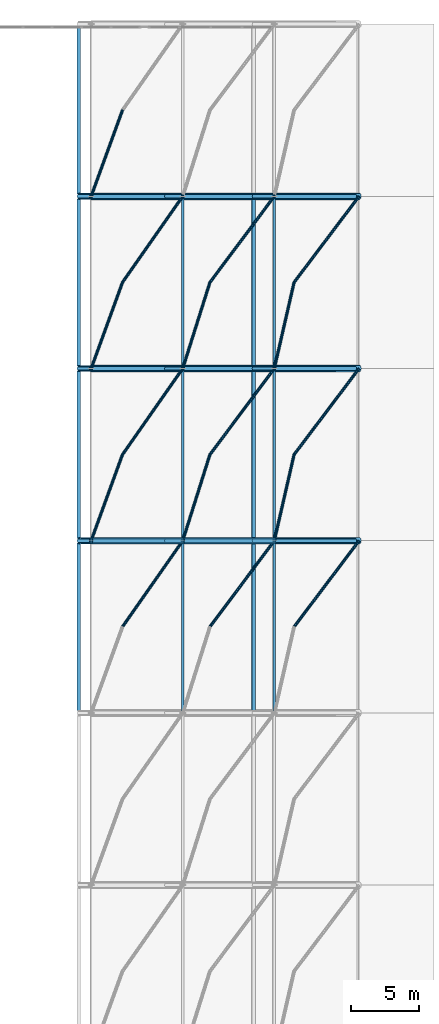
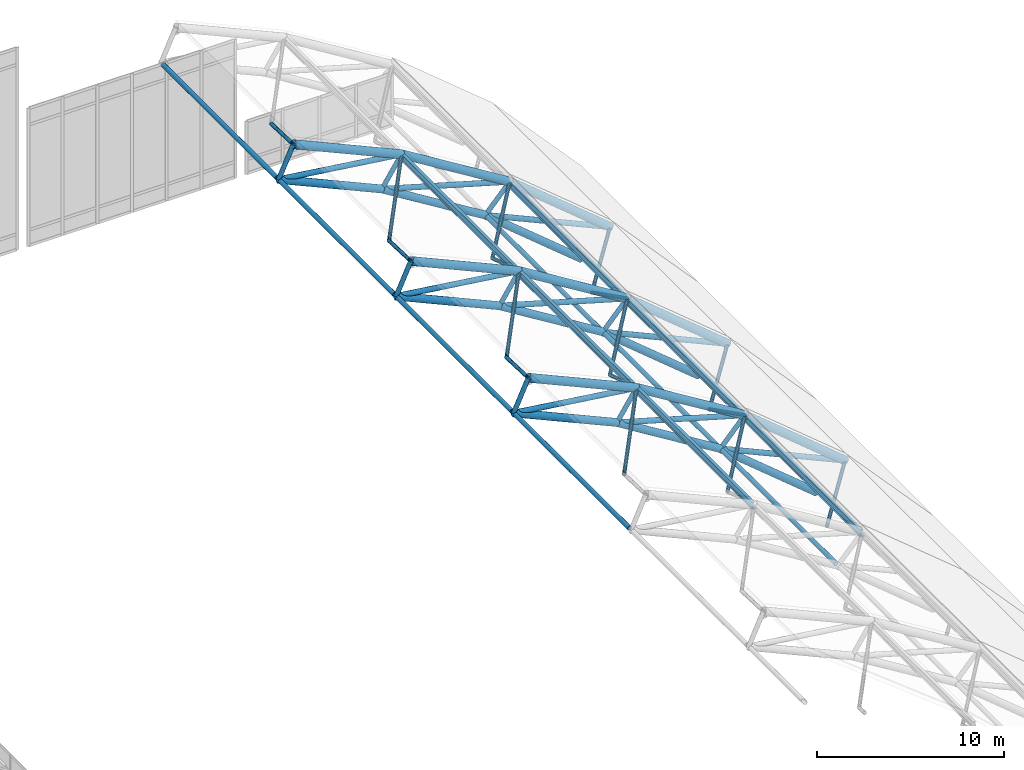
# One storey, part 20 of 42: 65 members.
"""IFC4 building model written with IfcOpenShell, lengths in metres."""

from ifc_helpers import new_model, si_unit, derived_unit, direction, frame, origin, origin_2d, place, context, subcontext, project, spatial, hollow_circle, i_section, extrude, material, material_profile, profile_set, type_object, element, save


model = new_model("IFC4")

# Units and contexts
model_context = context("Model", 3, precision=1e-05, world=origin(), true_north=direction((0.0, 1.0)))
body_context = subcontext(model_context, "Body", "Model", "MODEL_VIEW")
ifc_project = project(units=[si_unit("LENGTHUNIT", "METRE"), si_unit("AREAUNIT", "SQUARE_METRE"), si_unit("VOLUMEUNIT", "CUBIC_METRE"), si_unit("PLANEANGLEUNIT", "RADIAN"), si_unit("MASSUNIT", "GRAM", prefix="KILO"), derived_unit("THERMALTRANSMITTANCEUNIT", [(si_unit("MASSUNIT", "GRAM", prefix="KILO"), 1), (si_unit("TIMEUNIT", "SECOND"), -3), (si_unit("THERMODYNAMICTEMPERATUREUNIT", "KELVIN"), -1)])], contexts=[model_context])

# Site, building, storey
site_placement = place(None, origin())
site = spatial("IfcSite", under=ifc_project, at=site_placement, CompositionType="ELEMENT")
building_placement = place(site_placement, origin())
building = spatial("IfcBuilding", under=site, at=building_placement, Name="Valcora Ridge Arena", CompositionType="ELEMENT")
storey_placement = place(building_placement, frame((0.0, 0.0, 26.39990234375)))
storey = spatial("IfcBuildingStorey", under=building, at=storey_placement, Name="L05", CompositionType="ELEMENT", Elevation=26.39990234375)

# Members
ifc_material_1 = material(Name="Steel ASTM A572 Grade 50", Category="steel")
ifc_material_profile_1 = material_profile(ifc_material_1, i_section(OverallWidth=0.18994140625, OverallDepth=0.45703125, WebThickness=0.009033203125, FlangeThickness=0.014404296875, FilletRadius=0.014892578125, at=origin_2d()), Name="W18X50")
ifc_profile_set_1 = profile_set([ifc_material_profile_1], Name="Steel ASTM A572 Grade 50")
member_type_1 = type_object("IfcMemberType", Name="TY-MEMBER-PUR-W18X50", PredefinedType="PURLIN", material=ifc_profile_set_1)
for number, where, z_axis, x_axis, name in (
    (1, (82.60009765625, 57.85009765625, 7.81884765625), (0.0, 1.0, 0.0), (-1.0, 0.0, 0.0), "PUR-W18X50 SF-PR-PUR-W18X50-0046"),
    (2, (89.300048828125, 57.85009765625, 3.654296875), (0.0, 1.0, 0.0), (-1.0, 0.0, 0.0), "PUR-W18X50 SF-PR-PUR-W18X50-0047"),
    (3, (82.60009765625, 70.449951171875, 7.81884765625), (0.0, 1.0, 0.0), (-1.0, 0.0, 0.0), "PUR-W18X50 SF-PR-PUR-W18X50-0058"),
    (4, (89.300048828125, 70.449951171875, 3.654296875), (0.0, 1.0, 0.0), (-1.0, 0.0, 0.0), "PUR-W18X50 SF-PR-PUR-W18X50-0059"),
    (5, (82.60009765625, 83.050048828125, 7.81884765625), (0.0, 1.0, 0.0), (-1.0, 0.0, 0.0), "PUR-W18X50 SF-PR-PUR-W18X50-0070"),
    (6, (89.300048828125, 83.050048828125, 3.654296875), (0.0, 1.0, 0.0), (-1.0, 0.0, 0.0), "PUR-W18X50 SF-PR-PUR-W18X50-0071"),
):
    element("IfcMember", number, at=place(storey_placement, frame(where, z_axis=z_axis, x_axis=x_axis)), inside=storey, type_object=member_type_1, Name=name, PredefinedType="PURLIN", context=body_context, shape_type="SweptSolid", body=[
        extrude(i_section(OverallWidth=0.18994140625, OverallDepth=0.45703125, WebThickness=0.009033203125, FlangeThickness=0.014404296875, FilletRadius=0.014892578125, at=origin_2d()), origin(), (0.0, 0.0, 1.0), 12.5),
    ])
ifc_material_2 = material(Name="Steel ASTM A500 Grade C", Category="steel")
ifc_material_profile_2 = material_profile(ifc_material_2, hollow_circle(Radius=0.228515625, WallThickness=0.01611328125, at=origin_2d()), Name="CHS457X16")
ifc_profile_set_2 = profile_set([ifc_material_profile_2], Name="Steel ASTM A500 Grade C")
member_type_2 = type_object("IfcMemberType", Name="TY-MEMBER-SFBC-457", PredefinedType="CHORD", material=ifc_profile_set_2)
member_1_placement = place(storey_placement, frame((74.99169921875, 70.39990234375, 8.93994140625), z_axis=(0.912752630083, 0.0, -0.408512712502), x_axis=(0.0, 1.0, 0.0)))
element("IfcMember", 7, at=member_1_placement, inside=storey, type_object=member_type_2, Name="SFBC-457 Space Frame Bottom Chord", PredefinedType="CHORD", context=body_context, shape_type="SweptSolid", body=[
    extrude(hollow_circle(Radius=0.228515625, WallThickness=0.01611328125, at=origin_2d()), origin(), (0.0, 0.0, 1.0), 7.008544921875),
])
member_2_placement = place(storey_placement, frame((81.388671875, 70.39990234375, 6.076904296875), z_axis=(0.850850087791, 0.0, -0.525408534481), x_axis=(0.0, 1.0, 0.0)))
element("IfcMember", 8, at=member_2_placement, inside=storey, type_object=member_type_2, Name="SFBC-457 Space Frame Bottom Chord", PredefinedType="CHORD", context=body_context, shape_type="SweptSolid", body=[
    extrude(hollow_circle(Radius=0.228515625, WallThickness=0.01611328125, at=origin_2d()), origin(), (0.0, 0.0, 1.0), 7.518310546875),
])
member_3_placement = place(storey_placement, frame((87.78564453125, 70.39990234375, 2.126708984375), z_axis=(0.770105368474, 0.0, -0.637916704161), x_axis=(0.0, 1.0, 0.0)))
element("IfcMember", 9, at=member_3_placement, inside=storey, type_object=member_type_2, Name="SFBC-457 Space Frame Bottom Chord", PredefinedType="CHORD", context=body_context, shape_type="SweptSolid", body=[
    extrude(hollow_circle(Radius=0.228515625, WallThickness=0.01611328125, at=origin_2d()), origin(), (0.0, 0.0, 1.0), 7.686767578125),
])
member_4_placement = place(storey_placement, frame((74.99169921875, 83.0, 8.93994140625), z_axis=(0.912752630083, 0.0, -0.408512712502), x_axis=(0.0, 1.0, 0.0)))
element("IfcMember", 10, at=member_4_placement, inside=storey, type_object=member_type_2, Name="SFBC-457 Space Frame Bottom Chord", PredefinedType="CHORD", context=body_context, shape_type="SweptSolid", body=[
    extrude(hollow_circle(Radius=0.228515625, WallThickness=0.01611328125, at=origin_2d()), origin(), (0.0, 0.0, 1.0), 7.008544921875),
])
member_5_placement = place(storey_placement, frame((81.388671875, 83.0, 6.076904296875), z_axis=(0.850850087791, 0.0, -0.525408534481), x_axis=(0.0, 1.0, 0.0)))
element("IfcMember", 11, at=member_5_placement, inside=storey, type_object=member_type_2, Name="SFBC-457 Space Frame Bottom Chord", PredefinedType="CHORD", context=body_context, shape_type="SweptSolid", body=[
    extrude(hollow_circle(Radius=0.228515625, WallThickness=0.01611328125, at=origin_2d()), origin(), (0.0, 0.0, 1.0), 7.518310546875),
])
member_6_placement = place(storey_placement, frame((87.78564453125, 83.0, 2.126708984375), z_axis=(0.770105368474, 0.0, -0.637916704161), x_axis=(0.0, 1.0, 0.0)))
element("IfcMember", 12, at=member_6_placement, inside=storey, type_object=member_type_2, Name="SFBC-457 Space Frame Bottom Chord", PredefinedType="CHORD", context=body_context, shape_type="SweptSolid", body=[
    extrude(hollow_circle(Radius=0.228515625, WallThickness=0.01611328125, at=origin_2d()), origin(), (0.0, 0.0, 1.0), 7.686767578125),
])
member_7_placement = place(storey_placement, frame((74.99169921875, 95.60009765625, 8.93994140625), z_axis=(0.912752630083, 0.0, -0.408512712502), x_axis=(0.0, 1.0, 0.0)))
element("IfcMember", 13, at=member_7_placement, inside=storey, type_object=member_type_2, Name="SFBC-457 Space Frame Bottom Chord", PredefinedType="CHORD", context=body_context, shape_type="SweptSolid", body=[
    extrude(hollow_circle(Radius=0.228515625, WallThickness=0.01611328125, at=origin_2d()), origin(), (0.0, 0.0, 1.0), 7.008544921875),
])
member_8_placement = place(storey_placement, frame((81.388671875, 95.60009765625, 6.076904296875), z_axis=(0.850850087791, 0.0, -0.525408534481), x_axis=(0.0, 1.0, 0.0)))
element("IfcMember", 14, at=member_8_placement, inside=storey, type_object=member_type_2, Name="SFBC-457 Space Frame Bottom Chord", PredefinedType="CHORD", context=body_context, shape_type="SweptSolid", body=[
    extrude(hollow_circle(Radius=0.228515625, WallThickness=0.01611328125, at=origin_2d()), origin(), (0.0, 0.0, 1.0), 7.518310546875),
])
member_9_placement = place(storey_placement, frame((87.78564453125, 95.60009765625, 2.126708984375), z_axis=(0.770105368474, 0.0, -0.637916704161), x_axis=(0.0, 1.0, 0.0)))
element("IfcMember", 15, at=member_9_placement, inside=storey, type_object=member_type_2, Name="SFBC-457 Space Frame Bottom Chord", PredefinedType="CHORD", context=body_context, shape_type="SweptSolid", body=[
    extrude(hollow_circle(Radius=0.228515625, WallThickness=0.01611328125, at=origin_2d()), origin(), (0.0, 0.0, 1.0), 7.686767578125),
])
ifc_material_profile_3 = material_profile(ifc_material_2, hollow_circle(Radius=0.136474609375, WallThickness=0.012451171875, at=origin_2d()), Name="CHS273X12")
ifc_profile_set_3 = profile_set([ifc_material_profile_3], Name="Steel ASTM A500 Grade C")
member_type_3 = type_object("IfcMemberType", Name="TY-MEMBER-SFBT-273", PredefinedType="STRUT", material=ifc_profile_set_3)
for number, where, z_axis, x_axis, name in (
    (16, (74.99169921875, 57.97998046875, 8.93994140625), (0.0, 1.0, 0.0), (-1.0, 0.0, 0.0), "SFBT-273 Space Frame Bottom Strut"),
    (17, (87.78564453125, 57.97998046875, 2.126708984375), (0.0, 1.0, 0.0), (-1.0, 0.0, 0.0), "SFBT-273 Space Frame Bottom Strut"),
    (18, (74.99169921875, 70.580078125, 8.93994140625), (0.0, 1.0, 0.0), (-1.0, 0.0, 0.0), "SFBT-273 Space Frame Bottom Strut"),
    (19, (87.78564453125, 70.580078125, 2.126708984375), (0.0, 1.0, 0.0), (-1.0, 0.0, 0.0), "SFBT-273 Space Frame Bottom Strut"),
    (20, (74.99169921875, 83.179931640625, 8.93994140625), (0.0, 1.0, 0.0), (-1.0, 0.0, 0.0), "SFBT-273 Space Frame Bottom Strut"),
    (21, (87.78564453125, 83.179931640625, 2.126708984375), (0.0, 1.0, 0.0), (-1.0, 0.0, 0.0), "SFBT-273 Space Frame Bottom Strut"),
    (22, (74.99169921875, 95.780029296875, 8.93994140625), (0.0, 1.0, 0.0), (-1.0, 0.0, 0.0), "SFBT-273 Space Frame Bottom Strut"),
):
    element("IfcMember", number, at=place(storey_placement, frame(where, z_axis=z_axis, x_axis=x_axis)), inside=storey, type_object=member_type_3, Name=name, PredefinedType="STRUT", context=body_context, shape_type="SweptSolid", body=[
        extrude(hollow_circle(Radius=0.136474609375, WallThickness=0.012451171875, at=origin_2d()), origin(), (0.0, 0.0, 1.0), 12.239990234375),
    ])
ifc_material_profile_4 = material_profile(ifc_material_2, hollow_circle(Radius=0.136474609375, WallThickness=0.012451171875, at=origin_2d()), Name="CHS273X12")
ifc_profile_set_4 = profile_set([ifc_material_profile_4], Name="Steel ASTM A500 Grade C")
member_type_4 = type_object("IfcMemberType", Name="TY-MEMBER-SFKP-273", PredefinedType="POST", material=ifc_profile_set_4)
member_10_placement = place(storey_placement, frame((74.99169921875, 70.39990234375, 8.93994140625), z_axis=(0.415865435042, 0.0, 0.909426159695), x_axis=(0.0, 1.0, 0.0)))
element("IfcMember", 23, at=member_10_placement, inside=storey, type_object=member_type_4, Name="SFKP-273 Space Frame King Post", PredefinedType="POST", context=body_context, shape_type="SweptSolid", body=[
    extrude(hollow_circle(Radius=0.136474609375, WallThickness=0.012451171875, at=origin_2d()), origin(), (0.0, 0.0, 1.0), 2.183837890625),
])
member_11_placement = place(storey_placement, frame((81.388671875, 70.39990234375, 6.076904296875), z_axis=(0.547701322944, 0.0, 0.836673927432), x_axis=(0.0, 1.0, 0.0)))
element("IfcMember", 24, at=member_11_placement, inside=storey, type_object=member_type_4, Name="SFKP-273 Space Frame King Post", PredefinedType="POST", context=body_context, shape_type="SweptSolid", body=[
    extrude(hollow_circle(Radius=0.136474609375, WallThickness=0.012451171875, at=origin_2d()), origin(), (0.0, 0.0, 1.0), 2.2119140625),
])
member_12_placement = place(storey_placement, frame((87.78564453125, 70.39990234375, 2.126708984375), z_axis=(0.673229018622, 0.0, 0.739434032544), x_axis=(0.0, 1.0, 0.0)))
element("IfcMember", 25, at=member_12_placement, inside=storey, type_object=member_type_4, Name="SFKP-273 Space Frame King Post", PredefinedType="POST", context=body_context, shape_type="SweptSolid", body=[
    extrude(hollow_circle(Radius=0.136474609375, WallThickness=0.012451171875, at=origin_2d()), origin(), (0.0, 0.0, 1.0), 2.24951171875),
])
member_13_placement = place(storey_placement, frame((74.99169921875, 83.0, 8.93994140625), z_axis=(0.415865435042, 0.0, 0.909426159695), x_axis=(0.0, 1.0, 0.0)))
element("IfcMember", 26, at=member_13_placement, inside=storey, type_object=member_type_4, Name="SFKP-273 Space Frame King Post", PredefinedType="POST", context=body_context, shape_type="SweptSolid", body=[
    extrude(hollow_circle(Radius=0.136474609375, WallThickness=0.012451171875, at=origin_2d()), origin(), (0.0, 0.0, 1.0), 2.183837890625),
])
member_14_placement = place(storey_placement, frame((81.388671875, 83.0, 6.076904296875), z_axis=(0.547701322944, 0.0, 0.836673927432), x_axis=(0.0, 1.0, 0.0)))
element("IfcMember", 27, at=member_14_placement, inside=storey, type_object=member_type_4, Name="SFKP-273 Space Frame King Post", PredefinedType="POST", context=body_context, shape_type="SweptSolid", body=[
    extrude(hollow_circle(Radius=0.136474609375, WallThickness=0.012451171875, at=origin_2d()), origin(), (0.0, 0.0, 1.0), 2.2119140625),
])
member_15_placement = place(storey_placement, frame((87.78564453125, 83.0, 2.126708984375), z_axis=(0.673229018622, 0.0, 0.739434032544), x_axis=(0.0, 1.0, 0.0)))
element("IfcMember", 28, at=member_15_placement, inside=storey, type_object=member_type_4, Name="SFKP-273 Space Frame King Post", PredefinedType="POST", context=body_context, shape_type="SweptSolid", body=[
    extrude(hollow_circle(Radius=0.136474609375, WallThickness=0.012451171875, at=origin_2d()), origin(), (0.0, 0.0, 1.0), 2.24951171875),
])
member_16_placement = place(storey_placement, frame((74.99169921875, 95.60009765625, 8.93994140625), z_axis=(0.415865435042, 0.0, 0.909426159695), x_axis=(0.0, 1.0, 0.0)))
element("IfcMember", 29, at=member_16_placement, inside=storey, type_object=member_type_4, Name="SFKP-273 Space Frame King Post", PredefinedType="POST", context=body_context, shape_type="SweptSolid", body=[
    extrude(hollow_circle(Radius=0.136474609375, WallThickness=0.012451171875, at=origin_2d()), origin(), (0.0, 0.0, 1.0), 2.183837890625),
])
member_17_placement = place(storey_placement, frame((81.388671875, 95.60009765625, 6.076904296875), z_axis=(0.547701322944, 0.0, 0.836673927432), x_axis=(0.0, 1.0, 0.0)))
element("IfcMember", 30, at=member_17_placement, inside=storey, type_object=member_type_4, Name="SFKP-273 Space Frame King Post", PredefinedType="POST", context=body_context, shape_type="SweptSolid", body=[
    extrude(hollow_circle(Radius=0.136474609375, WallThickness=0.012451171875, at=origin_2d()), origin(), (0.0, 0.0, 1.0), 2.2119140625),
])
member_18_placement = place(storey_placement, frame((87.78564453125, 95.60009765625, 2.126708984375), z_axis=(0.673229018622, 0.0, 0.739434032544), x_axis=(0.0, 1.0, 0.0)))
element("IfcMember", 31, at=member_18_placement, inside=storey, type_object=member_type_4, Name="SFKP-273 Space Frame King Post", PredefinedType="POST", context=body_context, shape_type="SweptSolid", body=[
    extrude(hollow_circle(Radius=0.136474609375, WallThickness=0.012451171875, at=origin_2d()), origin(), (0.0, 0.0, 1.0), 2.24951171875),
])
ifc_material_profile_5 = material_profile(ifc_material_2, hollow_circle(Radius=0.109619140625, WallThickness=0.010009765625, at=origin_2d()), Name="CHS219X10")
ifc_profile_set_5 = profile_set([ifc_material_profile_5], Name="Steel ASTM A500 Grade C")
member_type_5 = type_object("IfcMemberType", Name="TY-MEMBER-SFST-219", PredefinedType="STRUT", material=ifc_profile_set_5)
member_19_placement = place(storey_placement, frame((78.190185546875, 64.10009765625, 7.631103515625), z_axis=(0.573041136302, 0.81862113055, 0.03851364333), x_axis=(-0.819228937461, 0.573466605851, 0.0)))
element("IfcMember", 32, at=member_19_placement, inside=storey, type_object=member_type_5, Name="SFST-219 Space Frame Tie Strut", PredefinedType="STRUT", context=body_context, shape_type="SweptSolid", body=[
    extrude(hollow_circle(Radius=0.109619140625, WallThickness=0.010009765625, at=origin_2d()), origin(), (0.0, 0.0, 1.0), 7.695556640625),
])
member_20_placement = place(storey_placement, frame((84.587158203125, 64.10009765625, 4.253173828125), z_axis=(0.597991225068, 0.799345502054, -0.058764471299), x_axis=(-0.800729262111, 0.599026417447, 0.0)))
element("IfcMember", 33, at=member_20_placement, inside=storey, type_object=member_type_5, Name="SFST-219 Space Frame Tie Strut", PredefinedType="STRUT", context=body_context, shape_type="SweptSolid", body=[
    extrude(hollow_circle(Radius=0.109619140625, WallThickness=0.010009765625, at=origin_2d()), origin(), (0.0, 0.0, 1.0), 7.881103515625),
])
member_21_placement = place(storey_placement, frame((90.74560546875, 64.10009765625, -0.150390625), z_axis=(0.595600924153, 0.789200279699, -0.149741302488), x_axis=(-0.798199814403, 0.602392775759, 0.0)))
element("IfcMember", 34, at=member_21_placement, inside=storey, type_object=member_type_5, Name="SFST-219 Space Frame Tie Strut", PredefinedType="STRUT", context=body_context, shape_type="SweptSolid", body=[
    extrude(hollow_circle(Radius=0.109619140625, WallThickness=0.010009765625, at=origin_2d()), origin(), (0.0, 0.0, 1.0), 7.982421875),
])
member_22_placement = place(storey_placement, frame((78.190185546875, 76.699951171875, 7.631103515625), z_axis=(-0.306620501185, -0.843443346453, 0.441120379916), x_axis=(0.939824257237, -0.341658258366, 0.0)))
element("IfcMember", 35, at=member_22_placement, inside=storey, type_object=member_type_5, Name="SFST-219 Space Frame Tie Strut", PredefinedType="STRUT", context=body_context, shape_type="SweptSolid", body=[
    extrude(hollow_circle(Radius=0.109619140625, WallThickness=0.010009765625, at=origin_2d()), origin(), (0.0, 0.0, 1.0), 7.469482421875),
])
member_23_placement = place(storey_placement, frame((78.190185546875, 76.699951171875, 7.631103515625), z_axis=(0.573026254478, 0.818631594796, 0.038512643134), x_axis=(-0.819239377872, 0.573451690855, 0.0)))
element("IfcMember", 36, at=member_23_placement, inside=storey, type_object=member_type_5, Name="SFST-219 Space Frame Tie Strut", PredefinedType="STRUT", context=body_context, shape_type="SweptSolid", body=[
    extrude(hollow_circle(Radius=0.109619140625, WallThickness=0.010009765625, at=origin_2d()), origin(), (0.0, 0.0, 1.0), 7.69580078125),
])
member_24_placement = place(storey_placement, frame((84.587158203125, 76.699951171875, 4.253173828125), z_axis=(-0.262870834688, -0.833441686831, 0.486080115745), x_axis=(0.953688172785, -0.300797056318, 0.0)))
element("IfcMember", 37, at=member_24_placement, inside=storey, type_object=member_type_5, Name="SFST-219 Space Frame Tie Strut", PredefinedType="STRUT", context=body_context, shape_type="SweptSolid", body=[
    extrude(hollow_circle(Radius=0.109619140625, WallThickness=0.010009765625, at=origin_2d()), origin(), (0.0, 0.0, 1.0), 7.55908203125),
])
member_25_placement = place(storey_placement, frame((84.587158203125, 76.699951171875, 4.253173828125), z_axis=(0.597976417998, 0.799356685994, -0.058763016211), x_axis=(-0.800740396706, 0.599011533347, 0.0)))
element("IfcMember", 38, at=member_25_placement, inside=storey, type_object=member_type_5, Name="SFST-219 Space Frame Tie Strut", PredefinedType="STRUT", context=body_context, shape_type="SweptSolid", body=[
    extrude(hollow_circle(Radius=0.109619140625, WallThickness=0.010009765625, at=origin_2d()), origin(), (0.0, 0.0, 1.0), 7.88134765625),
])
member_26_placement = place(storey_placement, frame((90.74560546875, 76.699951171875, -0.150390625), z_axis=(-0.190954714131, -0.832221989215, 0.520521716951), x_axis=(0.974671803023, -0.223640059899, 0.0)))
element("IfcMember", 39, at=member_26_placement, inside=storey, type_object=member_type_5, Name="SFST-219 Space Frame Tie Strut", PredefinedType="STRUT", context=body_context, shape_type="SweptSolid", body=[
    extrude(hollow_circle(Radius=0.109619140625, WallThickness=0.010009765625, at=origin_2d()), origin(), (0.0, 0.0, 1.0), 7.570068359375),
])
member_27_placement = place(storey_placement, frame((90.74560546875, 76.699951171875, -0.150390625), z_axis=(0.595586548239, 0.789211814589, -0.149737688209), x_axis=(-0.798211038929, 0.602377902426, 0.0)))
element("IfcMember", 40, at=member_27_placement, inside=storey, type_object=member_type_5, Name="SFST-219 Space Frame Tie Strut", PredefinedType="STRUT", context=body_context, shape_type="SweptSolid", body=[
    extrude(hollow_circle(Radius=0.109619140625, WallThickness=0.010009765625, at=origin_2d()), origin(), (0.0, 0.0, 1.0), 7.982666015625),
])
member_28_placement = place(storey_placement, frame((78.190185546875, 89.300048828125, 7.631103515625), z_axis=(-0.306620501185, -0.843443346453, 0.441120379916), x_axis=(0.939824257237, -0.341658258366, 0.0)))
element("IfcMember", 41, at=member_28_placement, inside=storey, type_object=member_type_5, Name="SFST-219 Space Frame Tie Strut", PredefinedType="STRUT", context=body_context, shape_type="SweptSolid", body=[
    extrude(hollow_circle(Radius=0.109619140625, WallThickness=0.010009765625, at=origin_2d()), origin(), (0.0, 0.0, 1.0), 7.469482421875),
])
member_29_placement = place(storey_placement, frame((78.190185546875, 89.300048828125, 7.631103515625), z_axis=(0.573026254478, 0.818631594796, 0.038512643134), x_axis=(-0.819239377872, 0.573451690855, 0.0)))
element("IfcMember", 42, at=member_29_placement, inside=storey, type_object=member_type_5, Name="SFST-219 Space Frame Tie Strut", PredefinedType="STRUT", context=body_context, shape_type="SweptSolid", body=[
    extrude(hollow_circle(Radius=0.109619140625, WallThickness=0.010009765625, at=origin_2d()), origin(), (0.0, 0.0, 1.0), 7.69580078125),
])
member_30_placement = place(storey_placement, frame((84.587158203125, 89.300048828125, 4.253173828125), z_axis=(-0.262870834688, -0.833441686831, 0.486080115745), x_axis=(0.953688172785, -0.300797056318, 0.0)))
element("IfcMember", 43, at=member_30_placement, inside=storey, type_object=member_type_5, Name="SFST-219 Space Frame Tie Strut", PredefinedType="STRUT", context=body_context, shape_type="SweptSolid", body=[
    extrude(hollow_circle(Radius=0.109619140625, WallThickness=0.010009765625, at=origin_2d()), origin(), (0.0, 0.0, 1.0), 7.55908203125),
])
member_31_placement = place(storey_placement, frame((84.587158203125, 89.300048828125, 4.253173828125), z_axis=(0.597976417998, 0.799356685994, -0.058763016211), x_axis=(-0.800740396706, 0.599011533347, 0.0)))
element("IfcMember", 44, at=member_31_placement, inside=storey, type_object=member_type_5, Name="SFST-219 Space Frame Tie Strut", PredefinedType="STRUT", context=body_context, shape_type="SweptSolid", body=[
    extrude(hollow_circle(Radius=0.109619140625, WallThickness=0.010009765625, at=origin_2d()), origin(), (0.0, 0.0, 1.0), 7.88134765625),
])
member_32_placement = place(storey_placement, frame((90.74560546875, 89.300048828125, -0.150390625), z_axis=(-0.190954714131, -0.832221989215, 0.520521716951), x_axis=(0.974671803023, -0.223640059899, 0.0)))
element("IfcMember", 45, at=member_32_placement, inside=storey, type_object=member_type_5, Name="SFST-219 Space Frame Tie Strut", PredefinedType="STRUT", context=body_context, shape_type="SweptSolid", body=[
    extrude(hollow_circle(Radius=0.109619140625, WallThickness=0.010009765625, at=origin_2d()), origin(), (0.0, 0.0, 1.0), 7.570068359375),
])
member_33_placement = place(storey_placement, frame((90.74560546875, 89.300048828125, -0.150390625), z_axis=(0.595586548239, 0.789211814589, -0.149737688209), x_axis=(-0.798211038929, 0.602377902426, 0.0)))
element("IfcMember", 46, at=member_33_placement, inside=storey, type_object=member_type_5, Name="SFST-219 Space Frame Tie Strut", PredefinedType="STRUT", context=body_context, shape_type="SweptSolid", body=[
    extrude(hollow_circle(Radius=0.109619140625, WallThickness=0.010009765625, at=origin_2d()), origin(), (0.0, 0.0, 1.0), 7.982666015625),
])
member_34_placement = place(storey_placement, frame((78.190185546875, 101.89990234375, 7.631103515625), z_axis=(-0.306628954337, -0.843433912986, 0.441132541066), x_axis=(0.939820005671, -0.341669953232, 0.0)))
element("IfcMember", 47, at=member_34_placement, inside=storey, type_object=member_type_5, Name="SFST-219 Space Frame Tie Strut", PredefinedType="STRUT", context=body_context, shape_type="SweptSolid", body=[
    extrude(hollow_circle(Radius=0.109619140625, WallThickness=0.010009765625, at=origin_2d()), origin(), (0.0, 0.0, 1.0), 7.46923828125),
])
ifc_material_profile_6 = material_profile(ifc_material_2, hollow_circle(Radius=0.25390625, WallThickness=0.01611328125, at=origin_2d()), Name="CHS508X16")
ifc_profile_set_6 = profile_set([ifc_material_profile_6], Name="Steel ASTM A500 Grade C")
member_type_6 = type_object("IfcMemberType", Name="TY-MEMBER-SFTC-508", PredefinedType="CHORD", material=ifc_profile_set_6)
member_35_placement = place(storey_placement, frame((75.89990234375, 70.39990234375, 10.926025390625), z_axis=(0.912763432327, 0.0, -0.408488575858), x_axis=(0.0, 1.0, 0.0)))
element("IfcMember", 48, at=member_35_placement, inside=storey, type_object=member_type_6, Name="SFTC-508 Space Frame Top Chord", PredefinedType="CHORD", context=body_context, shape_type="SweptSolid", body=[
    extrude(hollow_circle(Radius=0.25390625, WallThickness=0.01611328125, at=origin_2d()), origin(), (0.0, 0.0, 1.0), 7.340576171875),
])
member_36_placement = place(storey_placement, frame((82.60009765625, 70.39990234375, 7.927490234375), z_axis=(0.850840802089, 0.0, -0.525423571512), x_axis=(0.0, 1.0, 0.0)))
element("IfcMember", 49, at=member_36_placement, inside=storey, type_object=member_type_6, Name="SFTC-508 Space Frame Top Chord", PredefinedType="CHORD", context=body_context, shape_type="SweptSolid", body=[
    extrude(hollow_circle(Radius=0.25390625, WallThickness=0.01611328125, at=origin_2d()), origin(), (0.0, 0.0, 1.0), 7.87451171875),
])
member_37_placement = place(storey_placement, frame((89.300048828125, 70.39990234375, 3.7900390625), z_axis=(0.770104559296, 0.0, -0.637917681014), x_axis=(0.0, 1.0, 0.0)))
element("IfcMember", 50, at=member_37_placement, inside=storey, type_object=member_type_6, Name="SFTC-508 Space Frame Top Chord", PredefinedType="CHORD", context=body_context, shape_type="SweptSolid", body=[
    extrude(hollow_circle(Radius=0.25390625, WallThickness=0.01611328125, at=origin_2d()), origin(), (0.0, 0.0, 1.0), 8.05078125),
])
member_38_placement = place(storey_placement, frame((75.89990234375, 83.0, 10.926025390625), z_axis=(0.912763432327, 0.0, -0.408488575858), x_axis=(0.0, 1.0, 0.0)))
element("IfcMember", 51, at=member_38_placement, inside=storey, type_object=member_type_6, Name="SFTC-508 Space Frame Top Chord", PredefinedType="CHORD", context=body_context, shape_type="SweptSolid", body=[
    extrude(hollow_circle(Radius=0.25390625, WallThickness=0.01611328125, at=origin_2d()), origin(), (0.0, 0.0, 1.0), 7.340576171875),
])
member_39_placement = place(storey_placement, frame((82.60009765625, 83.0, 7.927490234375), z_axis=(0.850840802089, 0.0, -0.525423571512), x_axis=(0.0, 1.0, 0.0)))
element("IfcMember", 52, at=member_39_placement, inside=storey, type_object=member_type_6, Name="SFTC-508 Space Frame Top Chord", PredefinedType="CHORD", context=body_context, shape_type="SweptSolid", body=[
    extrude(hollow_circle(Radius=0.25390625, WallThickness=0.01611328125, at=origin_2d()), origin(), (0.0, 0.0, 1.0), 7.87451171875),
])
member_40_placement = place(storey_placement, frame((89.300048828125, 83.0, 3.7900390625), z_axis=(0.770104559296, 0.0, -0.637917681014), x_axis=(0.0, 1.0, 0.0)))
element("IfcMember", 53, at=member_40_placement, inside=storey, type_object=member_type_6, Name="SFTC-508 Space Frame Top Chord", PredefinedType="CHORD", context=body_context, shape_type="SweptSolid", body=[
    extrude(hollow_circle(Radius=0.25390625, WallThickness=0.01611328125, at=origin_2d()), origin(), (0.0, 0.0, 1.0), 8.05078125),
])
member_41_placement = place(storey_placement, frame((75.89990234375, 95.60009765625, 10.926025390625), z_axis=(0.912763432327, 0.0, -0.408488575858), x_axis=(0.0, 1.0, 0.0)))
element("IfcMember", 54, at=member_41_placement, inside=storey, type_object=member_type_6, Name="SFTC-508 Space Frame Top Chord", PredefinedType="CHORD", context=body_context, shape_type="SweptSolid", body=[
    extrude(hollow_circle(Radius=0.25390625, WallThickness=0.01611328125, at=origin_2d()), origin(), (0.0, 0.0, 1.0), 7.340576171875),
])
member_42_placement = place(storey_placement, frame((82.60009765625, 95.60009765625, 7.927490234375), z_axis=(0.850840802089, 0.0, -0.525423571512), x_axis=(0.0, 1.0, 0.0)))
element("IfcMember", 55, at=member_42_placement, inside=storey, type_object=member_type_6, Name="SFTC-508 Space Frame Top Chord", PredefinedType="CHORD", context=body_context, shape_type="SweptSolid", body=[
    extrude(hollow_circle(Radius=0.25390625, WallThickness=0.01611328125, at=origin_2d()), origin(), (0.0, 0.0, 1.0), 7.87451171875),
])
member_43_placement = place(storey_placement, frame((89.300048828125, 95.60009765625, 3.7900390625), z_axis=(0.770104559296, 0.0, -0.637917681014), x_axis=(0.0, 1.0, 0.0)))
element("IfcMember", 56, at=member_43_placement, inside=storey, type_object=member_type_6, Name="SFTC-508 Space Frame Top Chord", PredefinedType="CHORD", context=body_context, shape_type="SweptSolid", body=[
    extrude(hollow_circle(Radius=0.25390625, WallThickness=0.01611328125, at=origin_2d()), origin(), (0.0, 0.0, 1.0), 8.05078125),
])
ifc_material_profile_7 = material_profile(ifc_material_2, hollow_circle(Radius=0.161865234375, WallThickness=0.012451171875, at=origin_2d()), Name="CHS323X12")
ifc_profile_set_7 = profile_set([ifc_material_profile_7], Name="Steel ASTM A500 Grade C")
member_type_7 = type_object("IfcMemberType", Name="TY-MEMBER-SFWB-323", PredefinedType="BRACE", material=ifc_profile_set_7)
member_44_placement = place(storey_placement, frame((75.150146484375, 70.39990234375, 8.918701171875), z_axis=(0.99126352177, 0.0, -0.131896286561), x_axis=(0.0, 1.0, 0.0)))
element("IfcMember", 57, at=member_44_placement, inside=storey, type_object=member_type_7, Name="SFWB-323 Space Frame Diagonal Brace", PredefinedType="BRACE", context=body_context, shape_type="SweptSolid", body=[
    extrude(hollow_circle(Radius=0.161865234375, WallThickness=0.012451171875, at=origin_2d()), origin(), (0.0, 0.0, 1.0), 7.235595703125),
])
member_45_placement = place(storey_placement, frame((81.542236328125, 70.39990234375, 6.03271484375), z_axis=(0.960667219721, 0.0, -0.277702165915), x_axis=(0.0, 1.0, 0.0)))
element("IfcMember", 58, at=member_45_placement, inside=storey, type_object=member_type_7, Name="SFWB-323 Space Frame Diagonal Brace", PredefinedType="BRACE", context=body_context, shape_type="SweptSolid", body=[
    extrude(hollow_circle(Radius=0.161865234375, WallThickness=0.012451171875, at=origin_2d()), origin(), (0.0, 0.0, 1.0), 7.79541015625),
])
member_46_placement = place(storey_placement, frame((87.931396484375, 70.39990234375, 2.060791015625), z_axis=(0.911895871197, 0.0, -0.410421636971), x_axis=(0.0, 1.0, 0.0)))
element("IfcMember", 59, at=member_46_placement, inside=storey, type_object=member_type_7, Name="SFWB-323 Space Frame Diagonal Brace", PredefinedType="BRACE", context=body_context, shape_type="SweptSolid", body=[
    extrude(hollow_circle(Radius=0.161865234375, WallThickness=0.012451171875, at=origin_2d()), origin(), (0.0, 0.0, 1.0), 8.019775390625),
])
member_47_placement = place(storey_placement, frame((75.150146484375, 83.0, 8.918701171875), z_axis=(0.99126352177, 0.0, -0.131896286561), x_axis=(0.0, 1.0, 0.0)))
element("IfcMember", 60, at=member_47_placement, inside=storey, type_object=member_type_7, Name="SFWB-323 Space Frame Diagonal Brace", PredefinedType="BRACE", context=body_context, shape_type="SweptSolid", body=[
    extrude(hollow_circle(Radius=0.161865234375, WallThickness=0.012451171875, at=origin_2d()), origin(), (0.0, 0.0, 1.0), 7.235595703125),
])
member_48_placement = place(storey_placement, frame((81.542236328125, 83.0, 6.03271484375), z_axis=(0.960667219721, 0.0, -0.277702165915), x_axis=(0.0, 1.0, 0.0)))
element("IfcMember", 61, at=member_48_placement, inside=storey, type_object=member_type_7, Name="SFWB-323 Space Frame Diagonal Brace", PredefinedType="BRACE", context=body_context, shape_type="SweptSolid", body=[
    extrude(hollow_circle(Radius=0.161865234375, WallThickness=0.012451171875, at=origin_2d()), origin(), (0.0, 0.0, 1.0), 7.79541015625),
])
member_49_placement = place(storey_placement, frame((87.931396484375, 83.0, 2.060791015625), z_axis=(0.911895871197, 0.0, -0.410421636971), x_axis=(0.0, 1.0, 0.0)))
element("IfcMember", 62, at=member_49_placement, inside=storey, type_object=member_type_7, Name="SFWB-323 Space Frame Diagonal Brace", PredefinedType="BRACE", context=body_context, shape_type="SweptSolid", body=[
    extrude(hollow_circle(Radius=0.161865234375, WallThickness=0.012451171875, at=origin_2d()), origin(), (0.0, 0.0, 1.0), 8.019775390625),
])
member_50_placement = place(storey_placement, frame((75.150146484375, 95.60009765625, 8.918701171875), z_axis=(0.99126352177, 0.0, -0.131896286561), x_axis=(0.0, 1.0, 0.0)))
element("IfcMember", 63, at=member_50_placement, inside=storey, type_object=member_type_7, Name="SFWB-323 Space Frame Diagonal Brace", PredefinedType="BRACE", context=body_context, shape_type="SweptSolid", body=[
    extrude(hollow_circle(Radius=0.161865234375, WallThickness=0.012451171875, at=origin_2d()), origin(), (0.0, 0.0, 1.0), 7.235595703125),
])
member_51_placement = place(storey_placement, frame((81.542236328125, 95.60009765625, 6.03271484375), z_axis=(0.960667219721, 0.0, -0.277702165915), x_axis=(0.0, 1.0, 0.0)))
element("IfcMember", 64, at=member_51_placement, inside=storey, type_object=member_type_7, Name="SFWB-323 Space Frame Diagonal Brace", PredefinedType="BRACE", context=body_context, shape_type="SweptSolid", body=[
    extrude(hollow_circle(Radius=0.161865234375, WallThickness=0.012451171875, at=origin_2d()), origin(), (0.0, 0.0, 1.0), 7.79541015625),
])
member_52_placement = place(storey_placement, frame((87.931396484375, 95.60009765625, 2.060791015625), z_axis=(0.911895871197, 0.0, -0.410421636971), x_axis=(0.0, 1.0, 0.0)))
element("IfcMember", 65, at=member_52_placement, inside=storey, type_object=member_type_7, Name="SFWB-323 Space Frame Diagonal Brace", PredefinedType="BRACE", context=body_context, shape_type="SweptSolid", body=[
    extrude(hollow_circle(Radius=0.161865234375, WallThickness=0.012451171875, at=origin_2d()), origin(), (0.0, 0.0, 1.0), 8.019775390625),
])

save(model, "model.ifc")
